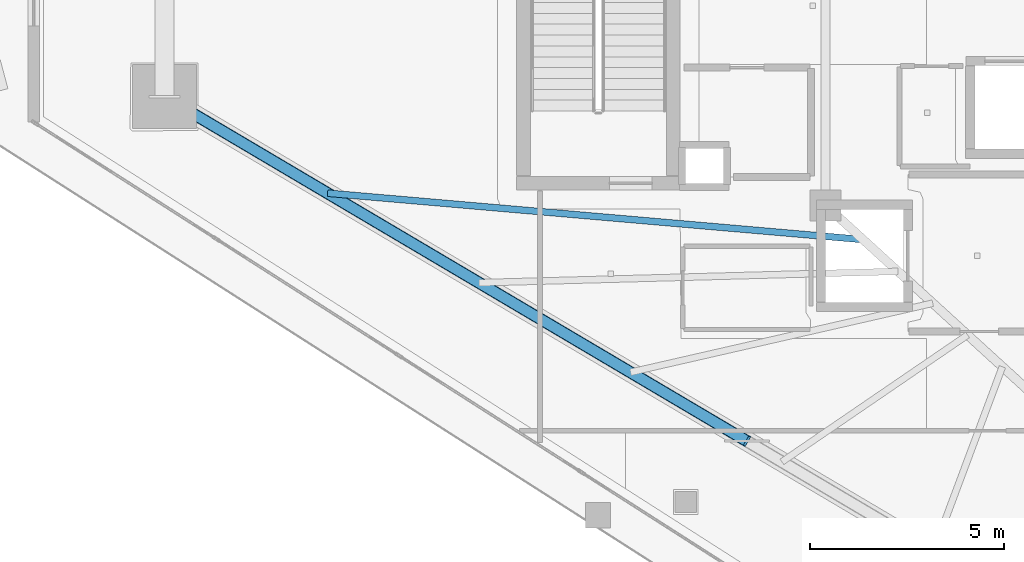
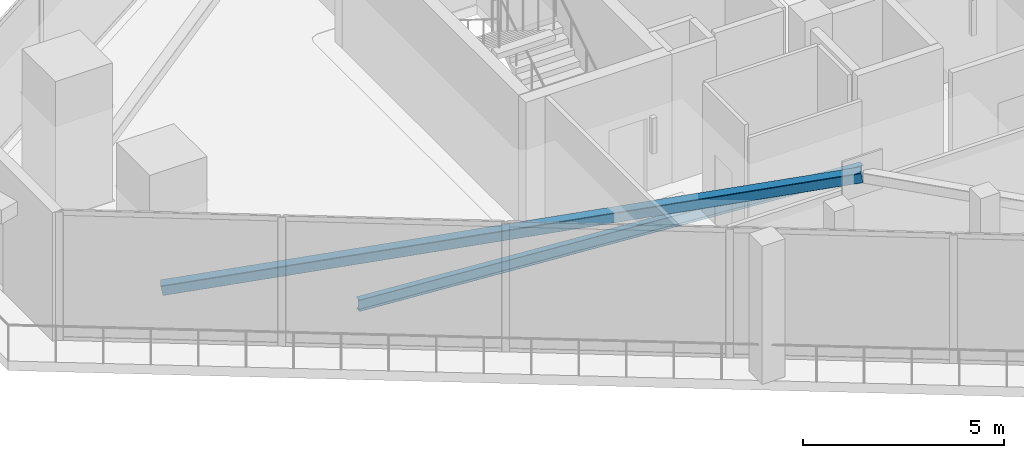
# One storey, part 7 of 34: 1 beam, 1 member.
"""IFC4 building model written with IfcOpenShell, lengths in metres."""

from ifc_helpers import new_model, si_unit, direction, frame, origin, origin_2d, place, context, subcontext, project, spatial, hollow_rectangle, i_section, extrude, material, material_profile, profile_set, type_object, element, save


model = new_model("IFC4")

# Units and contexts
model_context = context("Model", 3, precision=1e-05, world=origin(), true_north=direction((0.0, 1.0)))
body_context = subcontext(model_context, "Body", "Model", "MODEL_VIEW")
ifc_project = project(units=[si_unit("LENGTHUNIT", "METRE"), si_unit("AREAUNIT", "SQUARE_METRE"), si_unit("VOLUMEUNIT", "CUBIC_METRE"), si_unit("PLANEANGLEUNIT", "RADIAN"), si_unit("MASSUNIT", "GRAM", prefix="KILO")], contexts=[model_context])

# Site, building, storey
site_placement = place(None, origin())
site = spatial("IfcSite", under=ifc_project, at=site_placement, CompositionType="ELEMENT")
building_placement = place(site_placement, origin())
building = spatial("IfcBuilding", under=site, at=building_placement, Name="Qorvath Tower", CompositionType="ELEMENT")
storey_placement = place(building_placement, frame((0.0, 0.0, 276.60009765625)))
storey = spatial("IfcBuildingStorey", under=building, at=storey_placement, Name="L64", CompositionType="ELEMENT", Elevation=276.60009765625)

# Beam
ifc_material_1 = material(Name="Steel ASTM A992 Grade 50", Category="steel")
ifc_material_profile_1 = material_profile(ifc_material_1, i_section(OverallWidth=0.1708984375, OverallDepth=0.35107421875, WebThickness=0.0068359375, FlangeThickness=0.009765625, FilletRadius=0.010009765625, at=origin_2d()), Name="W14x30")
ifc_profile_set_1 = profile_set([ifc_material_profile_1], Name="Steel ASTM A992 Grade 50")
beam_type = type_object("IfcBeamType", Name="BM-FJ4", PredefinedType="JOIST", material=ifc_profile_set_1)
beam_placement = place(storey_placement, frame((-29.533935546875, -6.031982421875, -0.465576171875), z_axis=(-0.996257895131, 0.086430355719, 0.0), x_axis=(-0.086430355719, -0.996257895131, 0.0)))
element("IfcBeam", 1, at=beam_placement, inside=storey, type_object=beam_type, Name="Composite Floor Joist SW1 L64", PredefinedType="JOIST", context=body_context, shape_type="SweptSolid", body=[
    extrude(i_section(OverallWidth=0.1708984375, OverallDepth=0.35107421875, WebThickness=0.0068359375, FlangeThickness=0.009765625, FilletRadius=0.010009765625, at=origin_2d()), origin(), (0.0, 0.0, 1.0), 13.852294921875),
])

# Member
ifc_material_2 = material(Name="Steel ASTM A500 Grade C", Category="steel")
ifc_material_profile_2 = material_profile(ifc_material_2, hollow_rectangle(XDim=0.3046875, YDim=0.3046875, WallThickness=0.0126953125, InnerFilletRadius=0.0126953125, OuterFilletRadius=0.025390625, at=origin_2d()), Name="HSS 305x305x12.7")
ifc_profile_set_2 = profile_set([ifc_material_profile_2], Name="Steel ASTM A500 Grade C")
member_type = type_object("IfcMemberType", Name="MEM-MB3", PredefinedType="BRACE", material=ifc_profile_set_2)
member_placement = place(storey_placement, frame((-47.53759765625, -2.349609375, 0.0), z_axis=(0.843387110602, -0.498693694284, 0.20000695226), x_axis=(0.508977857602, 0.860779612021, 0.0)))
element("IfcMember", 2, at=member_placement, inside=storey, type_object=member_type, Name="Perimeter Chevron Brace L64-2A", PredefinedType="BRACE", context=body_context, shape_type="SweptSolid", body=[
    extrude(hollow_rectangle(XDim=0.3046875, YDim=0.3046875, WallThickness=0.0126953125, InnerFilletRadius=0.0126953125, OuterFilletRadius=0.025390625, at=origin_2d()), origin(), (0.0, 0.0, 1.0), 17.79833984375),
])

save(model, "model.ifc")
